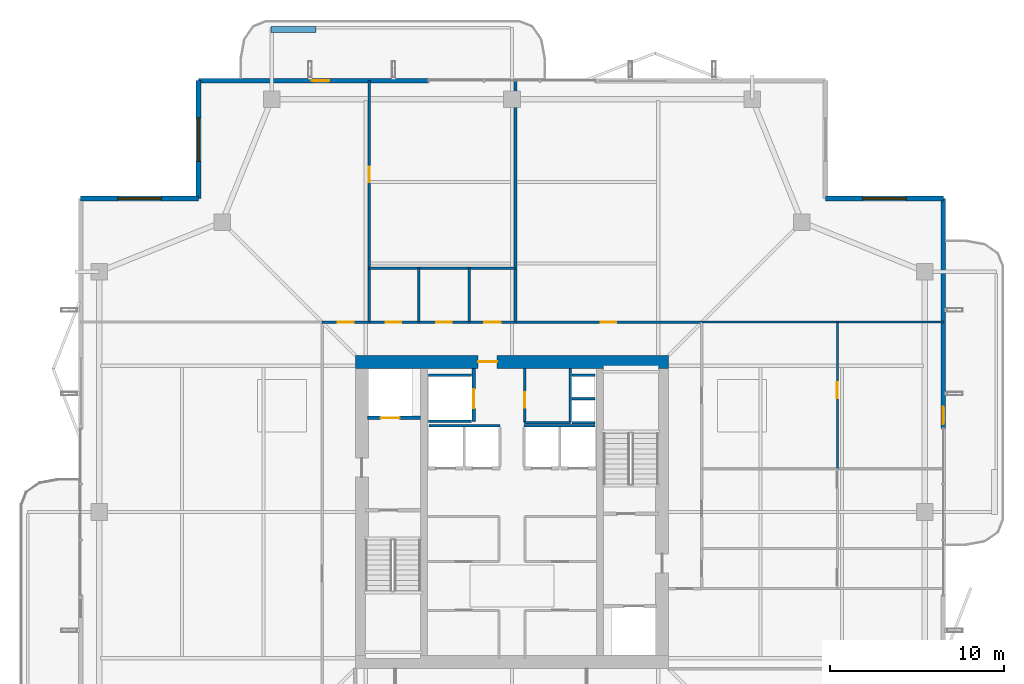
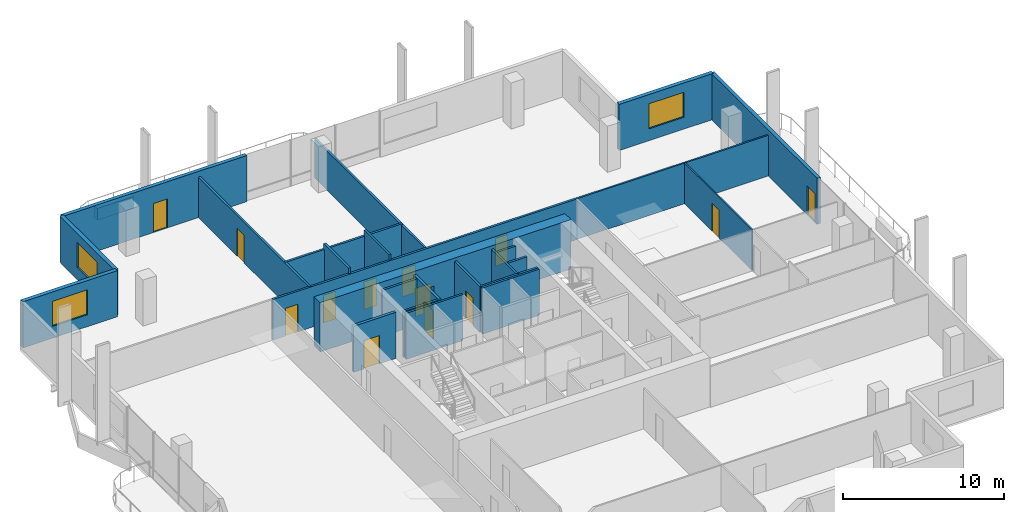
# One storey, part 20 of 25: 27 walls, 13 doors, 3 windows, 16 openings.
"""IFC4 building model written with IfcOpenShell, lengths in metres."""

from ifc_helpers import new_model, si_unit, direction, frame, frame_2d, origin, place, context, subcontext, project, spatial, rectangle, extrude, material, layer, layer_set, type_object, element, fill, save


model = new_model("IFC4")

# Units and contexts
model_context = context("Model", 3, precision=1e-05, world=origin(), true_north=direction((0.0, 1.0)))
body_context = subcontext(model_context, "Body", "Model", "MODEL_VIEW")
ifc_project = project(units=[si_unit("LENGTHUNIT", "METRE"), si_unit("AREAUNIT", "SQUARE_METRE"), si_unit("VOLUMEUNIT", "CUBIC_METRE"), si_unit("PLANEANGLEUNIT", "RADIAN"), si_unit("MASSUNIT", "GRAM", prefix="KILO")], contexts=[model_context])

# Site, building, storey
site_placement = place(None, origin())
site = spatial("IfcSite", under=ifc_project, at=site_placement, CompositionType="ELEMENT")
building_placement = place(site_placement, origin())
building = spatial("IfcBuilding", under=site, at=building_placement, Name="Belovzor Exchange Tower", CompositionType="ELEMENT")
storey_placement = place(building_placement, frame((0.0, 0.0, 250.35009765625)))
storey = spatial("IfcBuildingStorey", under=building, at=storey_placement, Name="L62", CompositionType="ELEMENT", Elevation=250.35009765625)

# Wall
ifc_material_1 = material(Name="Acoustic Plasterboard on Galvanised Studs", Category="gypsum")
ifc_layer_1 = layer(ifc_material_1, 0.1201171875)
ifc_layer_set_1 = layer_set([ifc_layer_1], Name="Acoustic Plasterboard on Galvanised Studs")
wall_type_1 = type_object("IfcWallType", Name="Acoustic Double-Stud Partition Wall 120", PredefinedType="PARTITIONING", material=ifc_layer_set_1)
wall_1_placement = place(storey_placement, frame((39.699951171875, 39.699951171875, 0.0), z_axis=(0.0, 0.0, 1.0), x_axis=(1.0, 0.0, 0.0)))
element("IfcWall", 1, at=wall_1_placement, inside=storey, type_object=wall_type_1, Name="W-P120 Partition Wall W-L62-END-NE", PredefinedType="PARTITIONING", context=body_context, shape_type="SweptSolid", body=[
    extrude(rectangle(XDim=13.8701171875, YDim=0.1201171875, at=frame_2d((6.93505859375, 0.0))), origin(), (0.0, 0.0, 1.0), 3.0849609375),
])

# Wall, opening, door
ifc_material_2 = material(Name="Acoustic Laminated Glass and Aluminium", Category="aluminium")
ifc_layer_2 = layer(ifc_material_2, 0.10009765625)
ifc_layer_set_2 = layer_set([ifc_layer_2], Name="Acoustic Laminated Glass and Aluminium")
wall_type_2 = type_object("IfcWallType", Name="Demountable Executive Glass Partition 100", PredefinedType="MOVABLE", material=ifc_layer_set_2)
wall_2_placement = place(storey_placement, frame((47.485107421875, 31.281982421875, 0.0), z_axis=(0.0, 0.0, 1.0), x_axis=(0.0, 1.0, 0.0)))
wall_2 = element("IfcWall", 2, at=wall_2_placement, inside=storey, type_object=wall_type_2, Name="W-M100 Partition Wall W-L62-EHDIV-2", PredefinedType="MOVABLE", context=body_context, shape_type="SweptSolid", body=[
    extrude(rectangle(XDim=8.41796875, YDim=0.10009765625, at=frame_2d((4.208984375, 0.0))), origin(), (0.0, 0.0, 1.0), 3.0849609375),
])
opening_1_placement = place(wall_2_placement, frame((4.055908203125, 0.0, 0.0)))
opening_1 = element("IfcOpeningElement", 3, at=opening_1_placement, cuts=wall_2, Name="Opening D-INT-090", PredefinedType="OPENING", context=body_context, shape_type="SweptSolid", body=[
    extrude(rectangle(XDim=0.89990234375, YDim=2.10009765625, at=frame_2d((0.449951171875, 1.050048828125))), frame((0.0, 0.06005859375, 0.0), z_axis=(0.0, -1.0, 0.0), x_axis=(1.0, 0.0, 0.0)), (0.0, 0.0, 1.0), 0.1201171875),
])
ifc_material_3 = material(Name="Veneered Hardwood Acoustic Leaf", Category="wood")
door_type_1 = type_object("IfcDoorType", Name="Trading Suite Acoustic Single Door 900x2100", OperationType="NOTDEFINED", PredefinedType="DOOR", material=ifc_material_3)
door_1_placement = place(opening_1_placement, origin())
door_1 = element("IfcDoor", 4, at=door_1_placement, inside=storey, type_object=door_type_1, Name="D-INT-090 Trading Suite Acoustic Single Door 900x2100", OperationType="SINGLE_SWING_RIGHT", OverallHeight=2.10009765625, OverallWidth=0.89990234375, PredefinedType="DOOR", context=body_context, shape_type="SweptSolid", body=[
    extrude(rectangle(XDim=0.89990234375, YDim=2.10009765625, at=frame_2d((0.449951171875, 1.050048828125))), frame((0.0, 0.02490234375, 0.0), z_axis=(0.0, -1.0, 0.0), x_axis=(1.0, 0.0, 0.0)), (0.0, 0.0, 1.0), 0.050048828125),
])
fill(opening_1, door_1)

ifc_material_4 = material(Name="Fire-Rated Gypsum Block and Mineral Wool", Category="gypsum")
ifc_layer_3 = layer(ifc_material_4, 0.14990234375)
ifc_layer_set_3 = layer_set([ifc_layer_3], Name="Fire-Rated Gypsum Block and Mineral Wool")
wall_type_3 = type_object("IfcWallType", Name="Fire-Rated Gypsum Block Corridor Wall 150", PredefinedType="PARTITIONING", material=ifc_layer_set_3)
wall_3_placement = place(storey_placement, frame((29.52490234375, 33.925048828125, 0.0), z_axis=(0.0, 0.0, 1.0), x_axis=(0.0, 1.0, 0.0)))
wall_3 = element("IfcWall", 5, at=wall_3_placement, inside=storey, type_object=wall_type_3, Name="W-P150 Partition Wall W-CRV-L62-W", PredefinedType="PARTITIONING", context=body_context, shape_type="SweptSolid", body=[
    extrude(rectangle(XDim=3.125, YDim=0.14990234375, at=frame_2d((1.5625, 0.0))), origin(), (0.0, 0.0, 1.0), 3.5),
])
opening_2_placement = place(wall_3_placement, frame((0.85009765625, 0.0, 0.0)))
opening_2 = element("IfcOpeningElement", 6, at=opening_2_placement, cuts=wall_3, Name="Opening D-FD60-090", PredefinedType="OPENING", context=body_context, shape_type="SweptSolid", body=[
    extrude(rectangle(XDim=0.89990234375, YDim=2.10009765625, at=frame_2d((0.449951171875, 1.050048828125))), frame((0.0, 0.0849609375, 0.0), z_axis=(0.0, -1.0, 0.0), x_axis=(1.0, 0.0, 0.0)), (0.0, 0.0, 1.0), 0.169921875),
])
ifc_material_5 = material(Name="Acoustic Timber Fire Leaf", Category="wood")
door_type_2 = type_object("IfcDoorType", Name="Core Service & Restroom Fire Door 900x2100", OperationType="NOTDEFINED", PredefinedType="DOOR", material=ifc_material_5)
door_2_placement = place(opening_2_placement, origin())
door_2 = element("IfcDoor", 7, at=door_2_placement, inside=storey, type_object=door_type_2, Name="D-FD60-090 Core Service & Restroom Fire Door 900x2100", OperationType="SINGLE_SWING_LEFT", OverallHeight=2.10009765625, OverallWidth=0.89990234375, PredefinedType="DOOR", context=body_context, shape_type="SweptSolid", body=[
    extrude(rectangle(XDim=0.89990234375, YDim=2.10009765625, at=frame_2d((0.449951171875, 1.050048828125))), frame((0.0, 0.02490234375, 0.0), z_axis=(0.0, -1.0, 0.0), x_axis=(1.0, 0.0, 0.0)), (0.0, 0.0, 1.0), 0.050048828125),
])
fill(opening_2, door_2)

# Walls
wall_4_placement = place(storey_placement, frame((29.52490234375, 33.925048828125, 0.0), z_axis=(0.0, 0.0, 1.0), x_axis=(1.0, 0.0, 0.0)))
element("IfcWall", 8, at=wall_4_placement, inside=storey, type_object=wall_type_3, Name="W-P150 Partition Wall W-CRV-L62-S", PredefinedType="PARTITIONING", context=body_context, shape_type="SweptSolid", body=[
    extrude(rectangle(XDim=2.625, YDim=0.14990234375, at=frame_2d((1.3125, 0.0))), origin(), (0.0, 0.0, 1.0), 3.5),
])
wall_5_placement = place(storey_placement, frame((20.60009765625, 42.800048828125, 0.0), z_axis=(0.0, 0.0, 1.0), x_axis=(1.0, 0.0, 0.0)))
element("IfcWall", 9, at=wall_5_placement, inside=storey, type_object=wall_type_3, Name="W-P150 Partition Wall W-L62-WCN", PredefinedType="PARTITIONING", context=body_context, shape_type="SweptSolid", body=[
    extrude(rectangle(XDim=8.39990234375, YDim=0.14990234375, at=frame_2d((4.199951171875, 0.0))), origin(), (0.0, 0.0, 1.0), 3.0849609375),
])

# Wall, opening, door
wall_6_placement = place(storey_placement, frame((20.60009765625, 39.699951171875, 0.0), z_axis=(0.0, 0.0, 1.0), x_axis=(0.0, 1.0, 0.0)))
wall_6 = element("IfcWall", 10, at=wall_6_placement, inside=storey, type_object=wall_type_3, Name="W-P150 Partition Wall W-L62-WCW", PredefinedType="PARTITIONING", context=body_context, shape_type="SweptSolid", body=[
    extrude(rectangle(XDim=13.8701171875, YDim=0.14990234375, at=frame_2d((6.93505859375, 0.0))), origin(), (0.0, 0.0, 1.0), 3.0849609375),
])
opening_3_placement = place(wall_6_placement, frame((8.034912109375, 0.0, 0.0)))
opening_3 = element("IfcOpeningElement", 11, at=opening_3_placement, cuts=wall_6, Name="Opening D-INT-090", PredefinedType="OPENING", context=body_context, shape_type="SweptSolid", body=[
    extrude(rectangle(XDim=0.89990234375, YDim=2.10009765625, at=frame_2d((0.449951171875, 1.050048828125))), frame((0.0, 0.0849609375, 0.0), z_axis=(0.0, -1.0, 0.0), x_axis=(1.0, 0.0, 0.0)), (0.0, 0.0, 1.0), 0.169921875),
])
door_3_placement = place(opening_3_placement, origin())
door_3 = element("IfcDoor", 12, at=door_3_placement, inside=storey, type_object=door_type_1, Name="D-INT-090 Trading Suite Acoustic Single Door 900x2100", OperationType="SINGLE_SWING_LEFT", OverallHeight=2.10009765625, OverallWidth=0.89990234375, PredefinedType="DOOR", context=body_context, shape_type="SweptSolid", body=[
    extrude(rectangle(XDim=0.89990234375, YDim=2.10009765625, at=frame_2d((0.449951171875, 1.050048828125))), frame((0.0, 0.02490234375, 0.0), z_axis=(0.0, -1.0, 0.0), x_axis=(1.0, 0.0, 0.0)), (0.0, 0.0, 1.0), 0.050048828125),
])
fill(opening_3, door_3)

# Walls
wall_7_placement = place(storey_placement, frame((29.0, 39.699951171875, 0.0), z_axis=(0.0, 0.0, 1.0), x_axis=(0.0, 1.0, 0.0)))
element("IfcWall", 13, at=wall_7_placement, inside=storey, type_object=wall_type_3, Name="W-P150 Partition Wall W-L62-WCE", PredefinedType="PARTITIONING", context=body_context, shape_type="SweptSolid", body=[
    extrude(rectangle(XDim=13.8701171875, YDim=0.14990234375, at=frame_2d((6.93505859375, 0.0))), origin(), (0.0, 0.0, 1.0), 2.98486328125),
])
for number, where, z_axis, x_axis, name in (
    (14, (23.449951171875, 39.699951171875, 0.0), (0.0, 0.0, 1.0), (0.0, 1.0, 0.0), "W-P150 Partition Wall W-L62-WCD1"),
    (15, (26.35009765625, 39.699951171875, 0.0), (0.0, 0.0, 1.0), (0.0, 1.0, 0.0), "W-P150 Partition Wall W-L62-WCD2"),
):
    element("IfcWall", number, at=place(storey_placement, frame(where, z_axis=z_axis, x_axis=x_axis)), inside=storey, type_object=wall_type_3, Name=name, PredefinedType="PARTITIONING", context=body_context, shape_type="SweptSolid", body=[
        extrude(rectangle(XDim=3.10009765625, YDim=0.14990234375, at=frame_2d((1.550048828125, 0.0))), origin(), (0.0, 0.0, 1.0), 3.5),
    ])

# Wall, openings, doors
wall_8_placement = place(storey_placement, frame((17.89990234375, 39.699951171875, 0.0), z_axis=(0.0, 0.0, 1.0), x_axis=(1.0, 0.0, 0.0)))
wall_8 = element("IfcWall", 16, at=wall_8_placement, inside=storey, type_object=wall_type_3, Name="W-P150 Partition Wall W-L62-CN", PredefinedType="PARTITIONING", context=body_context, shape_type="SweptSolid", body=[
    extrude(rectangle(XDim=21.800048828125, YDim=0.14990234375, at=frame_2d((10.89990234375, 0.0))), origin(), (0.0, 0.0, 1.0), 3.0849609375),
])
opening_4_placement = place(wall_8_placement, frame((0.89990234375, 0.0, 0.0)))
opening_4 = element("IfcOpeningElement", 17, at=opening_4_placement, cuts=wall_8, Name="Opening D-INT-090", PredefinedType="OPENING", context=body_context, shape_type="SweptSolid", body=[
    extrude(rectangle(XDim=0.89990234375, YDim=2.10009765625, at=frame_2d((0.449951171875, 1.050048828125))), frame((0.0, 0.0849609375, 0.0), z_axis=(0.0, -1.0, 0.0), x_axis=(1.0, 0.0, 0.0)), (0.0, 0.0, 1.0), 0.169921875),
])
opening_5_placement = place(wall_8_placement, frame((3.64990234375, 0.0, 0.0)))
opening_5 = element("IfcOpeningElement", 18, at=opening_5_placement, cuts=wall_8, Name="Opening D-FD60-090", PredefinedType="OPENING", context=body_context, shape_type="SweptSolid", body=[
    extrude(rectangle(XDim=0.89990234375, YDim=2.10009765625, at=frame_2d((0.449951171875, 1.050048828125))), frame((0.0, 0.0849609375, 0.0), z_axis=(0.0, -1.0, 0.0), x_axis=(1.0, 0.0, 0.0)), (0.0, 0.0, 1.0), 0.169921875),
])
opening_6_placement = place(wall_8_placement, frame((6.550048828125, 0.0, 0.0)))
opening_6 = element("IfcOpeningElement", 19, at=opening_6_placement, cuts=wall_8, Name="Opening D-FD60-090", PredefinedType="OPENING", context=body_context, shape_type="SweptSolid", body=[
    extrude(rectangle(XDim=0.89990234375, YDim=2.10009765625, at=frame_2d((0.449951171875, 1.050048828125))), frame((0.0, 0.0849609375, 0.0), z_axis=(0.0, -1.0, 0.0), x_axis=(1.0, 0.0, 0.0)), (0.0, 0.0, 1.0), 0.169921875),
])
opening_7_placement = place(wall_8_placement, frame((9.300048828125, 0.0, 0.0)))
opening_7 = element("IfcOpeningElement", 20, at=opening_7_placement, cuts=wall_8, Name="Opening D-FD60-095", PredefinedType="OPENING", context=body_context, shape_type="SweptSolid", body=[
    extrude(rectangle(XDim=0.949951171875, YDim=2.10009765625, at=frame_2d((0.47509765625, 1.050048828125))), frame((0.0, 0.0849609375, 0.0), z_axis=(0.0, -1.0, 0.0), x_axis=(1.0, 0.0, 0.0)), (0.0, 0.0, 1.0), 0.169921875),
])
opening_8_placement = place(wall_8_placement, frame((16.0, 0.0, 0.0)))
opening_8 = element("IfcOpeningElement", 21, at=opening_8_placement, cuts=wall_8, Name="Opening D-INT-090", PredefinedType="OPENING", context=body_context, shape_type="SweptSolid", body=[
    extrude(rectangle(XDim=0.89990234375, YDim=2.10009765625, at=frame_2d((0.449951171875, 1.050048828125))), frame((0.0, 0.0849609375, 0.0), z_axis=(0.0, -1.0, 0.0), x_axis=(1.0, 0.0, 0.0)), (0.0, 0.0, 1.0), 0.169921875),
])
ifc_material_6 = material(Name="Moisture-Resistant Timber Fire Leaf", Category="wood")
door_type_3 = type_object("IfcDoorType", Name="Accessible Restroom Wide Fire Door 950x2100", OperationType="NOTDEFINED", PredefinedType="DOOR", material=ifc_material_6)
door_4_placement = place(opening_7_placement, origin())
door_4 = element("IfcDoor", 22, at=door_4_placement, inside=storey, type_object=door_type_3, Name="D-FD60-095 Accessible Restroom Wide Fire Door 950x2100", OperationType="SINGLE_SWING_LEFT", OverallHeight=2.10009765625, OverallWidth=0.949951171875, PredefinedType="DOOR", context=body_context, shape_type="SweptSolid", body=[
    extrude(rectangle(XDim=0.949951171875, YDim=2.10009765625, at=frame_2d((0.47509765625, 1.050048828125))), frame((0.0, 0.02490234375, 0.0), z_axis=(0.0, -1.0, 0.0), x_axis=(1.0, 0.0, 0.0)), (0.0, 0.0, 1.0), 0.050048828125),
])
fill(opening_7, door_4)
door_5_placement = place(opening_5_placement, origin())
door_5 = element("IfcDoor", 23, at=door_5_placement, inside=storey, type_object=door_type_2, Name="D-FD60-090 Core Service & Restroom Fire Door 900x2100", OperationType="SINGLE_SWING_LEFT", OverallHeight=2.10009765625, OverallWidth=0.89990234375, PredefinedType="DOOR", context=body_context, shape_type="SweptSolid", body=[
    extrude(rectangle(XDim=0.89990234375, YDim=2.10009765625, at=frame_2d((0.449951171875, 1.050048828125))), frame((0.0, 0.02490234375, 0.0), z_axis=(0.0, -1.0, 0.0), x_axis=(1.0, 0.0, 0.0)), (0.0, 0.0, 1.0), 0.050048828125),
])
fill(opening_5, door_5)
door_6_placement = place(opening_6_placement, origin())
door_6 = element("IfcDoor", 24, at=door_6_placement, inside=storey, type_object=door_type_2, Name="D-FD60-090 Core Service & Restroom Fire Door 900x2100", OperationType="SINGLE_SWING_RIGHT", OverallHeight=2.10009765625, OverallWidth=0.89990234375, PredefinedType="DOOR", context=body_context, shape_type="SweptSolid", body=[
    extrude(rectangle(XDim=0.89990234375, YDim=2.10009765625, at=frame_2d((0.449951171875, 1.050048828125))), frame((0.0, 0.02490234375, 0.0), z_axis=(0.0, -1.0, 0.0), x_axis=(1.0, 0.0, 0.0)), (0.0, 0.0, 1.0), 0.050048828125),
])
fill(opening_6, door_6)
door_7_placement = place(opening_4_placement, origin())
door_7 = element("IfcDoor", 25, at=door_7_placement, inside=storey, type_object=door_type_1, Name="D-INT-090 Trading Suite Acoustic Single Door 900x2100", OperationType="SINGLE_SWING_LEFT", OverallHeight=2.10009765625, OverallWidth=0.89990234375, PredefinedType="DOOR", context=body_context, shape_type="SweptSolid", body=[
    extrude(rectangle(XDim=0.89990234375, YDim=2.10009765625, at=frame_2d((0.449951171875, 1.050048828125))), frame((0.0, 0.02490234375, 0.0), z_axis=(0.0, -1.0, 0.0), x_axis=(1.0, 0.0, 0.0)), (0.0, 0.0, 1.0), 0.050048828125),
])
fill(opening_4, door_7)
door_8_placement = place(opening_8_placement, origin())
door_8 = element("IfcDoor", 26, at=door_8_placement, inside=storey, type_object=door_type_1, Name="D-INT-090 Trading Suite Acoustic Single Door 900x2100", OperationType="SINGLE_SWING_RIGHT", OverallHeight=2.10009765625, OverallWidth=0.89990234375, PredefinedType="DOOR", context=body_context, shape_type="SweptSolid", body=[
    extrude(rectangle(XDim=0.89990234375, YDim=2.10009765625, at=frame_2d((0.449951171875, 1.050048828125))), frame((0.0, 0.02490234375, 0.0), z_axis=(0.0, -1.0, 0.0), x_axis=(1.0, 0.0, 0.0)), (0.0, 0.0, 1.0), 0.050048828125),
])
fill(opening_8, door_8)

# Wall, opening, window
ifc_material_7 = material(Name="Precast concrete C40/50", Category="concrete")
ifc_layer_4 = layer(ifc_material_7, 0.280029296875)
ifc_layer_set_4 = layer_set([ifc_layer_4], Name="Precast concrete C40/50")
wall_type_4 = type_object("IfcWallType", Name="Precast Concrete Notched Corner Frame Wall 280", PredefinedType="SOLIDWALL", material=ifc_layer_set_4)
wall_9_placement = place(storey_placement, frame((4.030029296875, 46.800048828125, 0.0), z_axis=(0.0, 0.0, 1.0), x_axis=(1.0, 0.0, 0.0)))
wall_9 = element("IfcWall", 27, at=wall_9_placement, inside=storey, type_object=wall_type_4, Name="W-CRN280 Precast Concrete Notched Corner Frame Wall 280 L62", PredefinedType="SOLIDWALL", context=body_context, shape_type="SweptSolid", body=[
    extrude(rectangle(XDim=6.77001953125, YDim=0.280029296875, at=frame_2d((3.385009765625, 0.0))), origin(), (0.0, 0.0, 1.0), 3.5),
])
opening_9_placement = place(wall_9_placement, frame((2.135009765625, 0.0, 0.89990234375)))
opening_9 = element("IfcOpeningElement", 28, at=opening_9_placement, cuts=wall_9, Name="Opening WN-CRN250", PredefinedType="OPENING", context=body_context, shape_type="SweptSolid", body=[
    extrude(rectangle(XDim=2.5, YDim=1.89990234375, at=frame_2d((1.25, 0.949951171875))), frame((0.0, 0.14990234375, 0.0), z_axis=(0.0, -1.0, 0.0), x_axis=(1.0, 0.0, 0.0)), (0.0, 0.0, 1.0), 0.300048828125),
])
ifc_material_8 = material(Name="Thermally Broken Aluminium and Triple Glazing", Category="aluminium")
window_type = type_object("IfcWindowType", Name="Streamline Moderne Corner Wrap Ribbon Window 2500x1900", PartitioningType="SINGLE_PANEL", PredefinedType="WINDOW", material=ifc_material_8)
window_1_placement = place(opening_9_placement, origin())
window_1 = element("IfcWindow", 29, at=window_1_placement, inside=storey, type_object=window_type, Name="WN-CRN250 Streamline Moderne Corner Wrap Ribbon Window 2500x1900", OverallHeight=1.89990234375, OverallWidth=2.5, PartitioningType="SINGLE_PANEL", PredefinedType="WINDOW", context=body_context, shape_type="SweptSolid", body=[
    extrude(rectangle(XDim=2.5, YDim=1.89990234375, at=frame_2d((1.25, 0.949951171875))), frame((0.0, 0.030029296875, 0.0), z_axis=(0.0, -1.0, 0.0), x_axis=(1.0, 0.0, 0.0)), (0.0, 0.0, 1.0), 0.06005859375),
])
fill(opening_9, window_1)

wall_10_placement = place(storey_placement, frame((10.800048828125, 46.800048828125, 0.0), z_axis=(0.0, 0.0, 1.0), x_axis=(0.0, 1.0, 0.0)))
wall_10 = element("IfcWall", 30, at=wall_10_placement, inside=storey, type_object=wall_type_4, Name="W-CRN280 Precast Concrete Notched Corner Frame Wall 280 L62", PredefinedType="SOLIDWALL", context=body_context, shape_type="SweptSolid", body=[
    extrude(rectangle(XDim=6.77001953125, YDim=0.280029296875, at=frame_2d((3.385009765625, 0.0))), origin(), (0.0, 0.0, 1.0), 3.5),
])
opening_10_placement = place(wall_10_placement, frame((2.135009765625, 0.0, 0.89990234375)))
opening_10 = element("IfcOpeningElement", 31, at=opening_10_placement, cuts=wall_10, Name="Opening WN-CRN250", PredefinedType="OPENING", context=body_context, shape_type="SweptSolid", body=[
    extrude(rectangle(XDim=2.5, YDim=1.89990234375, at=frame_2d((1.25, 0.949951171875))), frame((0.0, 0.14990234375, 0.0), z_axis=(0.0, -1.0, 0.0), x_axis=(1.0, 0.0, 0.0)), (0.0, 0.0, 1.0), 0.300048828125),
])
window_2_placement = place(opening_10_placement, origin())
window_2 = element("IfcWindow", 32, at=window_2_placement, inside=storey, type_object=window_type, Name="WN-CRN250 Streamline Moderne Corner Wrap Ribbon Window 2500x1900", OverallHeight=1.89990234375, OverallWidth=2.5, PartitioningType="SINGLE_PANEL", PredefinedType="WINDOW", context=body_context, shape_type="SweptSolid", body=[
    extrude(rectangle(XDim=2.5, YDim=1.89990234375, at=frame_2d((1.25, 0.949951171875))), frame((0.0, 0.030029296875, 0.0), z_axis=(0.0, -1.0, 0.0), x_axis=(1.0, 0.0, 0.0)), (0.0, 0.0, 1.0), 0.06005859375),
])
fill(opening_10, window_2)

wall_11_placement = place(storey_placement, frame((46.800048828125, 46.800048828125, 0.0), z_axis=(0.0, 0.0, 1.0), x_axis=(1.0, 0.0, 0.0)))
wall_11 = element("IfcWall", 33, at=wall_11_placement, inside=storey, type_object=wall_type_4, Name="W-CRN280 Precast Concrete Notched Corner Frame Wall 280 L62", PredefinedType="SOLIDWALL", context=body_context, shape_type="SweptSolid", body=[
    extrude(rectangle(XDim=6.77001953125, YDim=0.280029296875, at=frame_2d((3.385009765625, 0.0))), origin(), (0.0, 0.0, 1.0), 3.5),
])
opening_11_placement = place(wall_11_placement, frame((2.135009765625, 0.0, 0.89990234375)))
opening_11 = element("IfcOpeningElement", 34, at=opening_11_placement, cuts=wall_11, Name="Opening WN-CRN250", PredefinedType="OPENING", context=body_context, shape_type="SweptSolid", body=[
    extrude(rectangle(XDim=2.5, YDim=1.89990234375, at=frame_2d((1.25, 0.949951171875))), frame((0.0, 0.14990234375, 0.0), z_axis=(0.0, -1.0, 0.0), x_axis=(1.0, 0.0, 0.0)), (0.0, 0.0, 1.0), 0.300048828125),
])
window_3_placement = place(opening_11_placement, origin())
window_3 = element("IfcWindow", 35, at=window_3_placement, inside=storey, type_object=window_type, Name="WN-CRN250 Streamline Moderne Corner Wrap Ribbon Window 2500x1900", OverallHeight=1.89990234375, OverallWidth=2.5, PartitioningType="SINGLE_PANEL", PredefinedType="WINDOW", context=body_context, shape_type="SweptSolid", body=[
    extrude(rectangle(XDim=2.5, YDim=1.89990234375, at=frame_2d((1.25, 0.949951171875))), frame((0.0, 0.030029296875, 0.0), z_axis=(0.0, -1.0, 0.0), x_axis=(1.0, 0.0, 0.0)), (0.0, 0.0, 1.0), 0.06005859375),
])
fill(opening_11, window_3)

# Wall, opening, door
ifc_material_9 = material(Name="Precast concrete C40/50", Category="concrete")
ifc_layer_5 = layer(ifc_material_9, 0.260009765625)
ifc_layer_set_5 = layer_set([ifc_layer_5], Name="Precast concrete C40/50")
wall_type_5 = type_object("IfcWallType", Name="Precast Concrete Perimeter Loggia Frame Wall 260", PredefinedType="SOLIDWALL", material=ifc_layer_set_5)
wall_12_placement = place(storey_placement, frame((10.800048828125, 53.570068359375, 0.0), z_axis=(0.0, 0.0, 1.0), x_axis=(1.0, 0.0, 0.0)))
wall_12 = element("IfcWall", 36, at=wall_12_placement, inside=storey, type_object=wall_type_5, Name="W-EXT260 Precast Concrete Perimeter Loggia Frame Wall 260 L62", PredefinedType="SOLIDWALL", context=body_context, shape_type="SweptSolid", body=[
    extrude(rectangle(XDim=13.199951171875, YDim=0.260009765625, at=frame_2d((6.60009765625, 0.0))), origin(), (0.0, 0.0, 1.0), 3.5),
])
opening_12_placement = place(wall_12_placement, frame((6.51611328125, 0.0, 0.0)))
opening_12 = element("IfcOpeningElement", 37, at=opening_12_placement, cuts=wall_12, Name="Opening D-BAL100", PredefinedType="OPENING", context=body_context, shape_type="SweptSolid", body=[
    extrude(rectangle(XDim=1.0, YDim=2.199951171875, at=frame_2d((0.5, 1.10009765625))), frame((0.0, 0.139892578125, 0.0), z_axis=(0.0, -1.0, 0.0), x_axis=(1.0, 0.0, 0.0)), (0.0, 0.0, 1.0), 0.280029296875),
])
ifc_material_10 = material(Name="Thermally Broken Anodised Aluminium and Laminated Glass", Category="aluminium")
door_type_4 = type_object("IfcDoorType", Name="Planted Loggia Terrace Glazed Door 1000x2200", OperationType="SINGLE_SWING_LEFT", PredefinedType="DOOR", material=ifc_material_10)
door_9_placement = place(opening_12_placement, origin())
door_9 = element("IfcDoor", 38, at=door_9_placement, inside=storey, type_object=door_type_4, Name="D-BAL100 Balcony Terrace Door L62 N", OperationType="SINGLE_SWING_RIGHT", OverallHeight=2.199951171875, OverallWidth=1.0, PredefinedType="DOOR", context=body_context, shape_type="SweptSolid", body=[
    extrude(rectangle(XDim=1.0, YDim=2.199951171875, at=frame_2d((0.5, 1.10009765625))), frame((0.0, 0.02490234375, 0.0), z_axis=(0.0, -1.0, 0.0), x_axis=(1.0, 0.0, 0.0)), (0.0, 0.0, 1.0), 0.050048828125),
])
fill(opening_12, door_9)

wall_13_placement = place(storey_placement, frame((53.570068359375, 46.800048828125, 0.0), z_axis=(0.0, 0.0, 1.0), x_axis=(0.0, -1.0, 0.0)))
wall_13 = element("IfcWall", 39, at=wall_13_placement, inside=storey, type_object=wall_type_5, Name="W-EXT260 Precast Concrete Perimeter Loggia Frame Wall 260 L62", PredefinedType="SOLIDWALL", context=body_context, shape_type="SweptSolid", body=[
    extrude(rectangle(XDim=13.199951171875, YDim=0.260009765625, at=frame_2d((6.60009765625, 0.0))), origin(), (0.0, 0.0, 1.0), 3.5),
])
opening_13_placement = place(wall_13_placement, frame((11.949951171875, 0.0, 0.0)))
opening_13 = element("IfcOpeningElement", 40, at=opening_13_placement, cuts=wall_13, Name="Opening D-BAL100", PredefinedType="OPENING", context=body_context, shape_type="SweptSolid", body=[
    extrude(rectangle(XDim=1.0, YDim=2.199951171875, at=frame_2d((0.5, 1.10009765625))), frame((0.0, 0.139892578125, 0.0), z_axis=(0.0, -1.0, 0.0), x_axis=(1.0, 0.0, 0.0)), (0.0, 0.0, 1.0), 0.280029296875),
])
door_10_placement = place(opening_13_placement, origin())
door_10 = element("IfcDoor", 41, at=door_10_placement, inside=storey, type_object=door_type_4, Name="D-BAL100 Balcony Terrace Door L62 E", OperationType="SINGLE_SWING_LEFT", OverallHeight=2.199951171875, OverallWidth=1.0, PredefinedType="DOOR", context=body_context, shape_type="SweptSolid", body=[
    extrude(rectangle(XDim=1.0, YDim=2.199951171875, at=frame_2d((0.5, 1.10009765625))), frame((0.0, 0.02490234375, 0.0), z_axis=(0.0, -1.0, 0.0), x_axis=(1.0, 0.0, 0.0)), (0.0, 0.0, 1.0), 0.050048828125),
])
fill(opening_13, door_10)

# Walls
ifc_material_11 = material(Name="Precast concrete C40/50", Category="concrete")
ifc_layer_6 = layer(ifc_material_11, 0.35009765625)
ifc_layer_set_6 = layer_set([ifc_layer_6], Name="Precast concrete C40/50")
wall_type_6 = type_object("IfcWallType", Name="Precast Concrete Structural Tree Planter Trough 350", PredefinedType="PARAPET", material=ifc_layer_set_6)
wall_14_placement = place(storey_placement, frame((14.949951171875, 56.5, 0.0), z_axis=(0.0, 0.0, 1.0), x_axis=(1.0, 0.0, 0.0)))
element("IfcWall", 42, at=wall_14_placement, inside=storey, type_object=wall_type_6, Name="PT-350 Precast Concrete Structural Tree Planter Trough 350 L62", PredefinedType="PARAPET", context=body_context, shape_type="SweptSolid", body=[
    extrude(rectangle(XDim=2.60009765625, YDim=0.35009765625, at=frame_2d((1.300048828125, 0.0))), origin(), (0.0, 0.0, 1.0), 0.89990234375),
])
ifc_material_12 = material(Name="Concrete C50/60", Category="concrete")
ifc_layer_7 = layer(ifc_material_12, 0.14990234375)
ifc_layer_set_7 = layer_set([ifc_layer_7], Name="Concrete C50/60")
wall_type_7 = type_object("IfcWallType", Name="Reinforced Concrete Core Riser Shear Wall 150", PredefinedType="SHEAR", material=ifc_layer_set_7)
wall_15_placement = place(storey_placement, frame((32.14990234375, 34.0, 0.0), z_axis=(0.0, 0.0, 1.0), x_axis=(0.0, 1.0, 0.0)))
element("IfcWall", 43, at=wall_15_placement, inside=storey, type_object=wall_type_7, Name="W-C150S Core Shaft Wall W-RSR-L62-E", PredefinedType="SHEAR", context=body_context, shape_type="SweptSolid", body=[
    extrude(rectangle(XDim=3.050048828125, YDim=0.14990234375, at=frame_2d((1.52490234375, 0.0))), origin(), (0.0, 0.0, 1.0), 3.5),
])
for number, where, z_axis, x_axis, name in (
    (44, (32.25, 33.925048828125, 0.0), (0.0, 0.0, 1.0), (1.0, 0.0, 0.0), "W-C150S Core Shaft Wall W-RSR-L62-S"),
    (45, (32.25, 35.300048828125, 0.0), (0.0, 0.0, 1.0), (1.0, 0.0, 0.0), "W-C150S Core Shaft Wall W-RSR-L62-M"),
):
    element("IfcWall", number, at=place(storey_placement, frame(where, z_axis=z_axis, x_axis=x_axis)), inside=storey, type_object=wall_type_7, Name=name, PredefinedType="SHEAR", context=body_context, shape_type="SweptSolid", body=[
        extrude(rectangle(XDim=1.330078125, YDim=0.14990234375, at=frame_2d((0.6650390625, 0.0))), origin(), (0.0, 0.0, 1.0), 3.5),
    ])
for number, where, z_axis, x_axis, name in (
    (46, (24.0, 34.0, 0.0), (0.0, 0.0, 1.0), (1.0, 0.0, 0.0), "W-C150S Core Shaft Wall W-SH-L62-SL-01S"),
    (47, (24.0, 36.64990234375, 0.0), (0.0, 0.0, 1.0), (1.0, 0.0, 0.0), "W-C150S Core Shaft Wall W-SH-L62-SL-01N"),
):
    element("IfcWall", number, at=place(storey_placement, frame(where, z_axis=z_axis, x_axis=x_axis)), inside=storey, type_object=wall_type_7, Name=name, PredefinedType="SHEAR", context=body_context, shape_type="SweptSolid", body=[
        extrude(rectangle(XDim=2.47998046875, YDim=0.14990234375, at=frame_2d((1.239990234375, 0.0))), origin(), (0.0, 0.0, 1.0), 3.5),
    ])
wall_16_placement = place(storey_placement, frame((32.25, 36.64990234375, 0.0), z_axis=(0.0, 0.0, 1.0), x_axis=(1.0, 0.0, 0.0)))
element("IfcWall", 48, at=wall_16_placement, inside=storey, type_object=wall_type_7, Name="W-C150S Core Shaft Wall W-RSR-L62-N", PredefinedType="SHEAR", context=body_context, shape_type="SweptSolid", body=[
    extrude(rectangle(XDim=1.330078125, YDim=0.14990234375, at=frame_2d((0.6650390625, 0.0))), origin(), (0.0, 0.0, 1.0), 3.5),
])
for number, where, z_axis, x_axis, name in (
    (49, (24.02001953125, 33.760009765625, 0.0), (0.0, 0.0, 1.0), (1.0, 0.0, 0.0), "W-C150S Core Shaft Wall W-SHB-L62-PLH-NW"),
    (50, (29.5, 33.760009765625, 0.0), (0.0, 0.0, 1.0), (1.0, 0.0, 0.0), "W-C150S Core Shaft Wall W-SHB-L62-PLH-NE"),
):
    element("IfcWall", number, at=place(storey_placement, frame(where, z_axis=z_axis, x_axis=x_axis)), inside=storey, type_object=wall_type_7, Name=name, PredefinedType="SHEAR", context=body_context, shape_type="SweptSolid", body=[
        extrude(rectangle(XDim=4.080078125, YDim=0.14990234375, at=frame_2d((2.0400390625, 0.0))), origin(), (0.0, 0.0, 1.0), 3.5),
    ])

# Wall, opening, door
ifc_material_13 = material(Name="Concrete C50/60", Category="concrete")
ifc_layer_8 = layer(ifc_material_13, 0.199951171875)
ifc_layer_set_8 = layer_set([ifc_layer_8], Name="Concrete C50/60")
wall_type_8 = type_object("IfcWallType", Name="Reinforced Concrete Core Shaft Shear Wall 200", PredefinedType="SHEAR", material=ifc_layer_set_8)
wall_17_placement = place(storey_placement, frame((20.5, 34.199951171875, 0.0), z_axis=(0.0, 0.0, 1.0), x_axis=(1.0, 0.0, 0.0)))
wall_17 = element("IfcWall", 51, at=wall_17_placement, inside=storey, type_object=wall_type_8, Name="W-C200S Core Shaft Wall W-SH-L62-FFL-01", PredefinedType="SHEAR", context=body_context, shape_type="SweptSolid", body=[
    extrude(rectangle(XDim=3.050048828125, YDim=0.199951171875, at=frame_2d((1.52490234375, 0.0))), origin(), (0.0, 0.0, 1.0), 3.5),
])
opening_14_placement = place(wall_17_placement, frame((0.75, 0.0, 0.0)))
opening_14 = element("IfcOpeningElement", 52, at=opening_14_placement, cuts=wall_17, Name="Opening LD-110", PredefinedType="OPENING", context=body_context, shape_type="SweptSolid", body=[
    extrude(rectangle(XDim=1.10009765625, YDim=2.14990234375, at=frame_2d((0.550048828125, 1.074951171875))), frame((0.0, 0.10986328125, 0.0), z_axis=(0.0, -1.0, 0.0), x_axis=(1.0, 0.0, 0.0)), (0.0, 0.0, 1.0), 0.219970703125),
])
ifc_material_14 = material(Name="Stainless Steel Grade 304", Category="steel")
door_type_5 = type_object("IfcDoorType", Name="Automated Stainless Steel Lift Landing Door 1100x2150", OperationType="SLIDING_TO_RIGHT", PredefinedType="DOOR", material=ifc_material_14)
door_11_placement = place(opening_14_placement, origin())
door_11 = element("IfcDoor", 53, at=door_11_placement, inside=storey, type_object=door_type_5, Name="LD-110 Automated Stainless Steel Lift Landing Door 1100x2150", OperationType="SLIDING_TO_RIGHT", OverallHeight=2.14990234375, OverallWidth=1.10009765625, PredefinedType="DOOR", context=body_context, shape_type="SweptSolid", body=[
    extrude(rectangle(XDim=1.10009765625, YDim=2.14990234375, at=frame_2d((0.550048828125, 1.074951171875))), frame((0.0, 0.02490234375, 0.0), z_axis=(0.0, -1.0, 0.0), x_axis=(1.0, 0.0, 0.0)), (0.0, 0.0, 1.0), 0.050048828125),
])
fill(opening_14, door_11)

wall_18_placement = place(storey_placement, frame((26.60009765625, 34.0, 0.0), z_axis=(0.0, 0.0, 1.0), x_axis=(0.0, 1.0, 0.0)))
wall_18 = element("IfcWall", 54, at=wall_18_placement, inside=storey, type_object=wall_type_8, Name="W-C200S Core Shaft Wall W-SH-L62-SL-01", PredefinedType="SHEAR", context=body_context, shape_type="SweptSolid", body=[
    extrude(rectangle(XDim=3.050048828125, YDim=0.199951171875, at=frame_2d((1.52490234375, 0.0))), origin(), (0.0, 0.0, 1.0), 3.5),
])
opening_15_placement = place(wall_18_placement, frame((0.75, 0.0, 0.0)))
opening_15 = element("IfcOpeningElement", 55, at=opening_15_placement, cuts=wall_18, Name="Opening LD-110", PredefinedType="OPENING", context=body_context, shape_type="SweptSolid", body=[
    extrude(rectangle(XDim=1.10009765625, YDim=2.14990234375, at=frame_2d((0.550048828125, 1.074951171875))), frame((0.0, 0.10986328125, 0.0), z_axis=(0.0, -1.0, 0.0), x_axis=(1.0, 0.0, 0.0)), (0.0, 0.0, 1.0), 0.219970703125),
])
door_12_placement = place(opening_15_placement, origin())
door_12 = element("IfcDoor", 56, at=door_12_placement, inside=storey, type_object=door_type_5, Name="LD-110 Automated Stainless Steel Lift Landing Door 1100x2150", OperationType="SLIDING_TO_RIGHT", OverallHeight=2.14990234375, OverallWidth=1.10009765625, PredefinedType="DOOR", context=body_context, shape_type="SweptSolid", body=[
    extrude(rectangle(XDim=1.10009765625, YDim=2.14990234375, at=frame_2d((0.550048828125, 1.074951171875))), frame((0.0, 0.02490234375, 0.0), z_axis=(0.0, -1.0, 0.0), x_axis=(1.0, 0.0, 0.0)), (0.0, 0.0, 1.0), 0.050048828125),
])
fill(opening_15, door_12)

ifc_material_15 = material(Name="Concrete C50/60", Category="concrete")
ifc_layer_9 = layer(ifc_material_15, 0.75)
ifc_layer_set_9 = layer_set([ifc_layer_9], Name="Concrete C50/60")
wall_type_9 = type_object("IfcWallType", Name="Reinforced Concrete Core Shear Wall 750", PredefinedType="SHEAR", material=ifc_layer_set_9)
wall_19_placement = place(storey_placement, frame((19.800048828125, 37.425048828125, 0.0), z_axis=(0.0, 0.0, 1.0), x_axis=(1.0, 0.0, 0.0)))
wall_19 = element("IfcWall", 57, at=wall_19_placement, inside=storey, type_object=wall_type_9, Name="CW-S075 Core Shear Wall L62 N", PredefinedType="SHEAR", context=body_context, shape_type="SweptSolid", body=[
    extrude(rectangle(XDim=18.0, YDim=0.75, at=frame_2d((9.0, 0.0))), origin(), (0.0, 0.0, 1.0), 3.75),
])
opening_16_placement = place(wall_19_placement, frame((7.050048828125, 0.0, 0.0)))
opening_16 = element("IfcOpeningElement", 58, at=opening_16_placement, cuts=wall_19, Name="Opening D-FD90-110", PredefinedType="OPENING", context=body_context, shape_type="SweptSolid", body=[
    extrude(rectangle(XDim=1.10009765625, YDim=2.14990234375, at=frame_2d((0.550048828125, 1.074951171875))), frame((0.0, 0.385009765625, 0.0), z_axis=(0.0, -1.0, 0.0), x_axis=(1.0, 0.0, 0.0)), (0.0, 0.0, 1.0), 0.77001953125),
])
ifc_material_16 = material(Name="Fire-Rated Galvanised Steel Leaf", Category="steel")
door_type_6 = type_object("IfcDoorType", Name="Protected Escape Vestibule Fire Door 1100x2150", OperationType="NOTDEFINED", PredefinedType="DOOR", material=ifc_material_16)
door_13_placement = place(opening_16_placement, origin())
door_13 = element("IfcDoor", 59, at=door_13_placement, inside=storey, type_object=door_type_6, Name="D-FD90-110 Protected Escape Vestibule Fire Door 1100x2150", OperationType="SINGLE_SWING_LEFT", OverallHeight=2.14990234375, OverallWidth=1.10009765625, PredefinedType="DOOR", context=body_context, shape_type="SweptSolid", body=[
    extrude(rectangle(XDim=1.10009765625, YDim=2.14990234375, at=frame_2d((0.550048828125, 1.074951171875))), frame((0.0, 0.02490234375, 0.0), z_axis=(0.0, -1.0, 0.0), x_axis=(1.0, 0.0, 0.0)), (0.0, 0.0, 1.0), 0.050048828125),
])
fill(opening_16, door_13)

save(model, "model.ifc")
